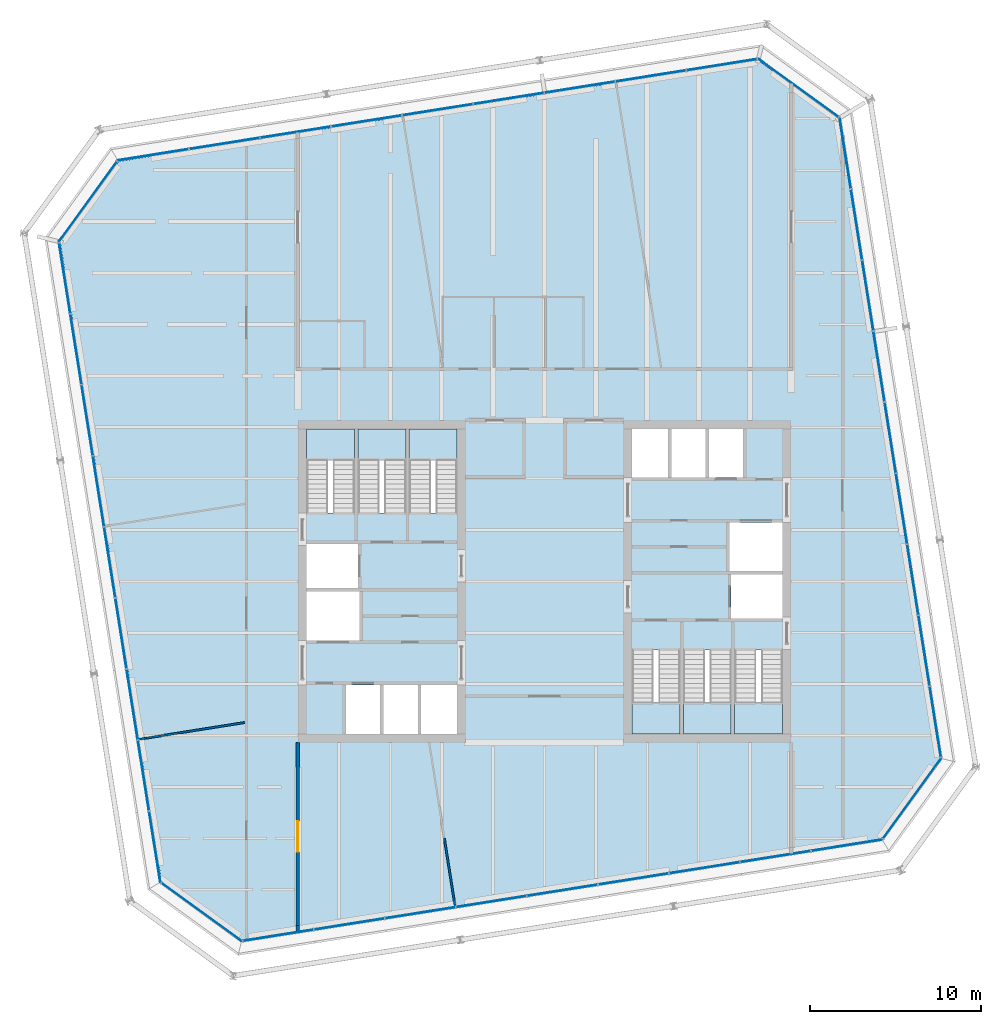
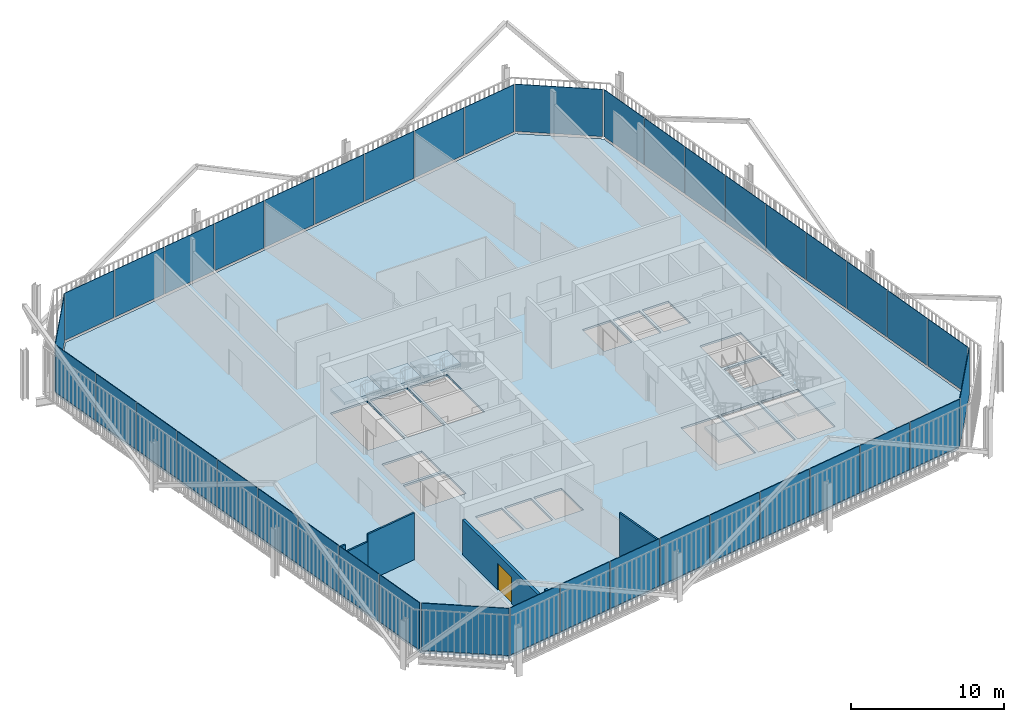
# One storey, part 15 of 20: 40 plates, 7 slabs, 6 walls, 1 door, 1 opening, 14 elements without a shape of their own.
"""IFC4 building model written with IfcOpenShell, lengths in metres."""

from ifc_helpers import new_model, si_unit, direction, frame, frame_2d, origin, place, context, subcontext, project, spatial, polyline, rectangle, outline, extrude, material, layer, layer_set, type_object, element, fill, aggregate, save


model = new_model("IFC4")

# Units and contexts
model_context = context("Model", 3, precision=1e-05, world=origin(), true_north=direction((0.0, 1.0)))
body_context = subcontext(model_context, "Body", "Model", "MODEL_VIEW")
ifc_project = project(units=[si_unit("LENGTHUNIT", "METRE"), si_unit("AREAUNIT", "SQUARE_METRE"), si_unit("VOLUMEUNIT", "CUBIC_METRE"), si_unit("PLANEANGLEUNIT", "RADIAN"), si_unit("MASSUNIT", "GRAM", prefix="KILO")], contexts=[model_context])

# Site, building, storey
site_placement = place(None, origin())
site = spatial("IfcSite", under=ifc_project, at=site_placement, CompositionType="ELEMENT")
building_placement = place(site_placement, origin())
building = spatial("IfcBuilding", under=site, at=building_placement, Name="Millrace Tower", CompositionType="ELEMENT")
storey_placement = place(building_placement, frame((0.0, 0.0, 204.699951171875)))
storey = spatial("IfcBuildingStorey", under=building, at=storey_placement, Name="L46", CompositionType="ELEMENT", Elevation=204.699951171875)

# Curtain wall, plate
ifc_material_1 = material(Name="Aluminium and glass", Category="aluminium")
ifc_layer_1 = layer(ifc_material_1, 0.14990234375)
ifc_layer_set_1 = layer_set([ifc_layer_1], Name="Aluminium and glass")
curtain_wall_type = type_object("IfcCurtainWallType", Name="CW-1 office vision curtain wall", PredefinedType="NOTDEFINED", material=ifc_layer_set_1)
placement_1 = place(storey_placement, origin())
curtain_wall_1 = element("IfcCurtainWall", 1, at=placement_1, inside=storey, type_object=curtain_wall_type, Name="Curtain wall D-F01 L46", PredefinedType="NOTDEFINED")
ifc_material_2 = material(Name="Glass", Category="glass")
ifc_layer_2 = layer(ifc_material_2, 0.0439453125)
ifc_layer_set_2 = layer_set([ifc_layer_2], Name="Glass")
plate_type = type_object("IfcPlateType", Name="CW-1 office vision curtain wall triple-glazed vision panel", PredefinedType="CURTAIN_PANEL", material=ifc_layer_set_2)
placement_2 = place(storey_placement, frame((0.0, 0.0, 0.14013671875)))
plate_1 = element("IfcPlate", 2, at=placement_2, type_object=plate_type, Name="CW1 panel D-F01.1", PredefinedType="CURTAIN_PANEL", context=body_context, shape_type="SweptSolid", body=[
    extrude(outline(polyline([(-22.36474609375, -17.632080078125), (-17.69384765625, -21.025634765625), (-17.6826171875, -20.979248046875), (-22.3388671875, -17.596435546875), (-22.36474609375, -17.632080078125)])), origin(), (0.0, 0.0, 1.0), 3.760009765625),
])
aggregate(curtain_wall_1, [plate_1])

# Curtain wall, plates
curtain_wall_2 = element("IfcCurtainWall", 3, at=placement_1, inside=storey, type_object=curtain_wall_type, Name="Curtain wall D-F02 L46", PredefinedType="NOTDEFINED")
plate_2 = element("IfcPlate", 4, at=placement_2, type_object=plate_type, Name="CW1 panel D-F02.1", PredefinedType="CURTAIN_PANEL", context=body_context, shape_type="SweptSolid", body=[
    extrude(outline(polyline([(-17.58984375, -21.009033203125), (-13.505859375, -20.3623046875), (-13.5126953125, -20.31884765625), (-17.596923828125, -20.965576171875), (-17.58984375, -21.009033203125)])), origin(), (0.0, 0.0, 1.0), 3.760009765625),
])
plate_3 = element("IfcPlate", 5, at=placement_2, type_object=plate_type, Name="CW1 panel D-F02.2", PredefinedType="CURTAIN_PANEL", context=body_context, shape_type="SweptSolid", body=[
    extrude(outline(polyline([(-13.441650390625, -20.35205078125), (-9.357666015625, -19.705078125), (-9.364501953125, -19.66162109375), (-13.448486328125, -20.30859375), (-13.441650390625, -20.35205078125)])), origin(), (0.0, 0.0, 1.0), 3.760009765625),
])
plate_4 = element("IfcPlate", 6, at=placement_2, type_object=plate_type, Name="CW1 panel D-F02.3", PredefinedType="CURTAIN_PANEL", context=body_context, shape_type="SweptSolid", body=[
    extrude(outline(polyline([(-9.29345703125, -19.695068359375), (-5.209228515625, -19.048095703125), (-5.216064453125, -19.004638671875), (-9.30029296875, -19.651611328125), (-9.29345703125, -19.695068359375)])), origin(), (0.0, 0.0, 1.0), 3.760009765625),
])
plate_5 = element("IfcPlate", 7, at=placement_2, type_object=plate_type, Name="CW1 panel D-F02.4", PredefinedType="CURTAIN_PANEL", context=body_context, shape_type="SweptSolid", body=[
    extrude(outline(polyline([(-5.14501953125, -19.0380859375), (-1.06103515625, -18.39111328125), (-1.06787109375, -18.34765625), (-5.15185546875, -18.99462890625), (-5.14501953125, -19.0380859375)])), origin(), (0.0, 0.0, 1.0), 3.760009765625),
])
plate_6 = element("IfcPlate", 8, at=placement_2, type_object=plate_type, Name="CW1 panel D-F02.5", PredefinedType="CURTAIN_PANEL", context=body_context, shape_type="SweptSolid", body=[
    extrude(outline(polyline([(-0.996826171875, -18.380859375), (3.08740234375, -17.734130859375), (3.080322265625, -17.690673828125), (-1.003662109375, -18.33740234375), (-0.996826171875, -18.380859375)])), origin(), (0.0, 0.0, 1.0), 3.760009765625),
])
plate_7 = element("IfcPlate", 9, at=placement_2, type_object=plate_type, Name="CW1 panel D-F02.6", PredefinedType="CURTAIN_PANEL", context=body_context, shape_type="SweptSolid", body=[
    extrude(outline(polyline([(3.151611328125, -17.723876953125), (7.235595703125, -17.0771484375), (7.228759765625, -17.03369140625), (3.14453125, -17.680419921875), (3.151611328125, -17.723876953125)])), origin(), (0.0, 0.0, 1.0), 3.760009765625),
])
plate_8 = element("IfcPlate", 10, at=placement_2, type_object=plate_type, Name="CW1 panel D-F02.7", PredefinedType="CURTAIN_PANEL", context=body_context, shape_type="SweptSolid", body=[
    extrude(outline(polyline([(7.2998046875, -17.06689453125), (11.3837890625, -16.420166015625), (11.376953125, -16.376708984375), (7.29296875, -17.0234375), (7.2998046875, -17.06689453125)])), origin(), (0.0, 0.0, 1.0), 3.760009765625),
])
plate_9 = element("IfcPlate", 11, at=placement_2, type_object=plate_type, Name="CW1 panel D-F02.8", PredefinedType="CURTAIN_PANEL", context=body_context, shape_type="SweptSolid", body=[
    extrude(outline(polyline([(11.447998046875, -16.409912109375), (15.5322265625, -15.762939453125), (15.525390625, -15.719482421875), (11.441162109375, -16.366455078125), (11.447998046875, -16.409912109375)])), origin(), (0.0, 0.0, 1.0), 3.760009765625),
])
plate_10 = element("IfcPlate", 12, at=placement_2, type_object=plate_type, Name="CW1 panel D-F02.9", PredefinedType="CURTAIN_PANEL", context=body_context, shape_type="SweptSolid", body=[
    extrude(outline(polyline([(15.596435546875, -15.7529296875), (19.72021484375, -15.099853515625), (19.6953125, -15.05908203125), (15.589599609375, -15.70947265625), (15.596435546875, -15.7529296875)])), origin(), (0.0, 0.0, 1.0), 3.760009765625),
])
aggregate(curtain_wall_2, [plate_2, plate_3, plate_4, plate_5, plate_6, plate_7, plate_8, plate_9, plate_10])

# Curtain wall, plate
curtain_wall_3 = element("IfcCurtainWall", 13, at=placement_1, inside=storey, type_object=curtain_wall_type, Name="Curtain wall D-F03 L46", PredefinedType="NOTDEFINED")
plate_11 = element("IfcPlate", 14, at=placement_2, type_object=plate_type, Name="CW1 panel D-F03.1", PredefinedType="CURTAIN_PANEL", context=body_context, shape_type="SweptSolid", body=[
    extrude(outline(polyline([(19.781982421875, -15.0146484375), (23.175537109375, -10.34375), (23.129150390625, -10.332763671875), (19.746337890625, -14.98876953125), (19.781982421875, -15.0146484375)])), origin(), (0.0, 0.0, 1.0), 3.760009765625),
])
aggregate(curtain_wall_3, [plate_11])

# Curtain wall, plates
curtain_wall_4 = element("IfcCurtainWall", 15, at=placement_1, inside=storey, type_object=curtain_wall_type, Name="Curtain wall D-F04 L46", PredefinedType="NOTDEFINED")
plate_12 = element("IfcPlate", 16, at=placement_2, type_object=plate_type, Name="CW1 panel D-F04.1", PredefinedType="CURTAIN_PANEL", context=body_context, shape_type="SweptSolid", body=[
    extrude(outline(polyline([(23.1591796875, -10.239990234375), (22.51220703125, -6.15576171875), (22.46875, -6.162841796875), (23.11572265625, -10.246826171875), (23.1591796875, -10.239990234375)])), origin(), (0.0, 0.0, 1.0), 3.760009765625),
])
plate_13 = element("IfcPlate", 17, at=placement_2, type_object=plate_type, Name="CW1 panel D-F04.2", PredefinedType="CURTAIN_PANEL", context=body_context, shape_type="SweptSolid", body=[
    extrude(outline(polyline([(22.501953125, -6.091552734375), (21.855224609375, -2.007568359375), (21.811767578125, -2.014404296875), (22.45849609375, -6.0986328125), (22.501953125, -6.091552734375)])), origin(), (0.0, 0.0, 1.0), 3.760009765625),
])
plate_14 = element("IfcPlate", 18, at=placement_2, type_object=plate_type, Name="CW1 panel D-F04.3", PredefinedType="CURTAIN_PANEL", context=body_context, shape_type="SweptSolid", body=[
    extrude(outline(polyline([(21.844970703125, -1.943359375), (21.1982421875, 2.140625), (21.15478515625, 2.1337890625), (21.801513671875, -1.9501953125), (21.844970703125, -1.943359375)])), origin(), (0.0, 0.0, 1.0), 3.760009765625),
])
plate_15 = element("IfcPlate", 19, at=placement_2, type_object=plate_type, Name="CW1 panel D-F04.4", PredefinedType="CURTAIN_PANEL", context=body_context, shape_type="SweptSolid", body=[
    extrude(outline(polyline([(21.18798828125, 2.204833984375), (20.541259765625, 6.2890625), (20.497802734375, 6.2822265625), (21.14453125, 2.197998046875), (21.18798828125, 2.204833984375)])), origin(), (0.0, 0.0, 1.0), 3.760009765625),
])
plate_16 = element("IfcPlate", 20, at=placement_2, type_object=plate_type, Name="CW1 panel D-F04.5", PredefinedType="CURTAIN_PANEL", context=body_context, shape_type="SweptSolid", body=[
    extrude(outline(polyline([(20.531005859375, 6.353271484375), (19.884033203125, 10.437255859375), (19.840576171875, 10.430419921875), (20.487548828125, 6.346435546875), (20.531005859375, 6.353271484375)])), origin(), (0.0, 0.0, 1.0), 3.760009765625),
])
plate_17 = element("IfcPlate", 21, at=placement_2, type_object=plate_type, Name="CW1 panel D-F04.6", PredefinedType="CURTAIN_PANEL", context=body_context, shape_type="SweptSolid", body=[
    extrude(outline(polyline([(19.8740234375, 10.50146484375), (19.22705078125, 14.585693359375), (19.18359375, 14.57861328125), (19.83056640625, 10.49462890625), (19.8740234375, 10.50146484375)])), origin(), (0.0, 0.0, 1.0), 3.760009765625),
])
plate_18 = element("IfcPlate", 22, at=placement_2, type_object=plate_type, Name="CW1 panel D-F04.7", PredefinedType="CURTAIN_PANEL", context=body_context, shape_type="SweptSolid", body=[
    extrude(outline(polyline([(19.217041015625, 14.64990234375), (18.570068359375, 18.73388671875), (18.526611328125, 18.72705078125), (19.173583984375, 14.642822265625), (19.217041015625, 14.64990234375)])), origin(), (0.0, 0.0, 1.0), 3.760009765625),
])
plate_19 = element("IfcPlate", 23, at=placement_2, type_object=plate_type, Name="CW1 panel D-F04.8", PredefinedType="CURTAIN_PANEL", context=body_context, shape_type="SweptSolid", body=[
    extrude(outline(polyline([(18.559814453125, 18.798095703125), (17.9130859375, 22.882080078125), (17.86962890625, 22.875244140625), (18.516357421875, 18.791259765625), (18.559814453125, 18.798095703125)])), origin(), (0.0, 0.0, 1.0), 3.760009765625),
])
plate_20 = element("IfcPlate", 24, at=placement_2, type_object=plate_type, Name="CW1 panel D-F04.9", PredefinedType="CURTAIN_PANEL", context=body_context, shape_type="SweptSolid", body=[
    extrude(outline(polyline([(17.90283203125, 22.9462890625), (17.249755859375, 27.070068359375), (17.209228515625, 27.045166015625), (17.859375, 22.939453125), (17.90283203125, 22.9462890625)])), origin(), (0.0, 0.0, 1.0), 3.760009765625),
])
aggregate(curtain_wall_4, [plate_12, plate_13, plate_14, plate_15, plate_16, plate_17, plate_18, plate_19, plate_20])

# Curtain wall, plate
curtain_wall_5 = element("IfcCurtainWall", 25, at=placement_1, inside=storey, type_object=curtain_wall_type, Name="Curtain wall D-F05 L46", PredefinedType="NOTDEFINED")
plate_21 = element("IfcPlate", 26, at=placement_2, type_object=plate_type, Name="CW1 panel D-F05.1", PredefinedType="CURTAIN_PANEL", context=body_context, shape_type="SweptSolid", body=[
    extrude(outline(polyline([(17.16455078125, 27.132080078125), (12.493896484375, 30.525634765625), (12.482666015625, 30.479248046875), (17.138671875, 27.096435546875), (17.16455078125, 27.132080078125)])), origin(), (0.0, 0.0, 1.0), 3.760009765625),
])
aggregate(curtain_wall_5, [plate_21])

# Curtain wall, plates
curtain_wall_6 = element("IfcCurtainWall", 27, at=placement_1, inside=storey, type_object=curtain_wall_type, Name="Curtain wall D-F06 L46", PredefinedType="NOTDEFINED")
plate_22 = element("IfcPlate", 28, at=placement_2, type_object=plate_type, Name="CW1 panel D-F06.1", PredefinedType="CURTAIN_PANEL", context=body_context, shape_type="SweptSolid", body=[
    extrude(outline(polyline([(12.389892578125, 30.509033203125), (8.305908203125, 29.8623046875), (8.312744140625, 29.81884765625), (12.396728515625, 30.465576171875), (12.389892578125, 30.509033203125)])), origin(), (0.0, 0.0, 1.0), 3.760009765625),
])
plate_23 = element("IfcPlate", 29, at=placement_2, type_object=plate_type, Name="CW1 panel D-F06.2", PredefinedType="CURTAIN_PANEL", context=body_context, shape_type="SweptSolid", body=[
    extrude(outline(polyline([(8.24169921875, 29.85205078125), (4.157470703125, 29.205078125), (4.16455078125, 29.16162109375), (8.24853515625, 29.80859375), (8.24169921875, 29.85205078125)])), origin(), (0.0, 0.0, 1.0), 3.760009765625),
])
plate_24 = element("IfcPlate", 30, at=placement_2, type_object=plate_type, Name="CW1 panel D-F06.3", PredefinedType="CURTAIN_PANEL", context=body_context, shape_type="SweptSolid", body=[
    extrude(outline(polyline([(4.09326171875, 29.195068359375), (0.00927734375, 28.548095703125), (0.01611328125, 28.504638671875), (4.100341796875, 29.151611328125), (4.09326171875, 29.195068359375)])), origin(), (0.0, 0.0, 1.0), 3.760009765625),
])
plate_25 = element("IfcPlate", 31, at=placement_2, type_object=plate_type, Name="CW1 panel D-F06.4", PredefinedType="CURTAIN_PANEL", context=body_context, shape_type="SweptSolid", body=[
    extrude(outline(polyline([(-0.054931640625, 28.5380859375), (-4.138916015625, 27.89111328125), (-4.132080078125, 27.84765625), (-0.048095703125, 28.49462890625), (-0.054931640625, 28.5380859375)])), origin(), (0.0, 0.0, 1.0), 3.760009765625),
])
plate_26 = element("IfcPlate", 32, at=placement_2, type_object=plate_type, Name="CW1 panel D-F06.5", PredefinedType="CURTAIN_PANEL", context=body_context, shape_type="SweptSolid", body=[
    extrude(outline(polyline([(-4.203125, 27.880859375), (-8.287353515625, 27.234130859375), (-8.280517578125, 27.190673828125), (-4.1962890625, 27.83740234375), (-4.203125, 27.880859375)])), origin(), (0.0, 0.0, 1.0), 3.760009765625),
])
plate_27 = element("IfcPlate", 33, at=placement_2, type_object=plate_type, Name="CW1 panel D-F06.6", PredefinedType="CURTAIN_PANEL", context=body_context, shape_type="SweptSolid", body=[
    extrude(outline(polyline([(-8.3515625, 27.223876953125), (-12.435546875, 26.5771484375), (-12.4287109375, 26.53369140625), (-8.3447265625, 27.180419921875), (-8.3515625, 27.223876953125)])), origin(), (0.0, 0.0, 1.0), 3.760009765625),
])
plate_28 = element("IfcPlate", 34, at=placement_2, type_object=plate_type, Name="CW1 panel D-F06.7", PredefinedType="CURTAIN_PANEL", context=body_context, shape_type="SweptSolid", body=[
    extrude(outline(polyline([(-12.499755859375, 26.56689453125), (-16.583984375, 25.920166015625), (-16.576904296875, 25.876708984375), (-12.492919921875, 26.5234375), (-12.499755859375, 26.56689453125)])), origin(), (0.0, 0.0, 1.0), 3.760009765625),
])
plate_29 = element("IfcPlate", 35, at=placement_2, type_object=plate_type, Name="CW1 panel D-F06.8", PredefinedType="CURTAIN_PANEL", context=body_context, shape_type="SweptSolid", body=[
    extrude(outline(polyline([(-16.648193359375, 25.909912109375), (-20.732177734375, 25.262939453125), (-20.725341796875, 25.219482421875), (-16.64111328125, 25.866455078125), (-16.648193359375, 25.909912109375)])), origin(), (0.0, 0.0, 1.0), 3.760009765625),
])
plate_30 = element("IfcPlate", 36, at=placement_2, type_object=plate_type, Name="CW1 panel D-F06.9", PredefinedType="CURTAIN_PANEL", context=body_context, shape_type="SweptSolid", body=[
    extrude(outline(polyline([(-20.79638671875, 25.2529296875), (-24.920166015625, 24.599853515625), (-24.895263671875, 24.55908203125), (-20.78955078125, 25.20947265625), (-20.79638671875, 25.2529296875)])), origin(), (0.0, 0.0, 1.0), 3.760009765625),
])
aggregate(curtain_wall_6, [plate_22, plate_23, plate_24, plate_25, plate_26, plate_27, plate_28, plate_29, plate_30])

# Curtain wall, plate
curtain_wall_7 = element("IfcCurtainWall", 37, at=placement_1, inside=storey, type_object=curtain_wall_type, Name="Curtain wall D-F07 L46", PredefinedType="NOTDEFINED")
plate_31 = element("IfcPlate", 38, at=placement_2, type_object=plate_type, Name="CW1 panel D-F07.1", PredefinedType="CURTAIN_PANEL", context=body_context, shape_type="SweptSolid", body=[
    extrude(outline(polyline([(-24.98193359375, 24.5146484375), (-28.37548828125, 19.84375), (-28.329345703125, 19.832763671875), (-24.9462890625, 24.48876953125), (-24.98193359375, 24.5146484375)])), origin(), (0.0, 0.0, 1.0), 3.760009765625),
])
aggregate(curtain_wall_7, [plate_31])

# Curtain wall, plates
curtain_wall_8 = element("IfcCurtainWall", 39, at=placement_1, inside=storey, type_object=curtain_wall_type, Name="Curtain wall D-F08 L46", PredefinedType="NOTDEFINED")
plate_32 = element("IfcPlate", 40, at=placement_2, type_object=plate_type, Name="CW1 panel D-F08.1", PredefinedType="CURTAIN_PANEL", context=body_context, shape_type="SweptSolid", body=[
    extrude(outline(polyline([(-28.359130859375, 19.739990234375), (-27.712158203125, 15.65576171875), (-27.668701171875, 15.662841796875), (-28.315673828125, 19.746826171875), (-28.359130859375, 19.739990234375)])), origin(), (0.0, 0.0, 1.0), 3.760009765625),
])
plate_33 = element("IfcPlate", 41, at=placement_2, type_object=plate_type, Name="CW1 panel D-F08.2", PredefinedType="CURTAIN_PANEL", context=body_context, shape_type="SweptSolid", body=[
    extrude(outline(polyline([(-27.7021484375, 15.591552734375), (-27.05517578125, 11.507568359375), (-27.01171875, 11.514404296875), (-27.65869140625, 15.5986328125), (-27.7021484375, 15.591552734375)])), origin(), (0.0, 0.0, 1.0), 3.760009765625),
])
plate_34 = element("IfcPlate", 42, at=placement_2, type_object=plate_type, Name="CW1 panel D-F08.3", PredefinedType="CURTAIN_PANEL", context=body_context, shape_type="SweptSolid", body=[
    extrude(outline(polyline([(-27.044921875, 11.443359375), (-26.398193359375, 7.359375), (-26.354736328125, 7.3662109375), (-27.00146484375, 11.4501953125), (-27.044921875, 11.443359375)])), origin(), (0.0, 0.0, 1.0), 3.760009765625),
])
plate_35 = element("IfcPlate", 43, at=placement_2, type_object=plate_type, Name="CW1 panel D-F08.4", PredefinedType="CURTAIN_PANEL", context=body_context, shape_type="SweptSolid", body=[
    extrude(outline(polyline([(-26.387939453125, 7.295166015625), (-25.7412109375, 3.2109375), (-25.69775390625, 3.2177734375), (-26.344482421875, 7.302001953125), (-26.387939453125, 7.295166015625)])), origin(), (0.0, 0.0, 1.0), 3.760009765625),
])
plate_36 = element("IfcPlate", 44, at=placement_2, type_object=plate_type, Name="CW1 panel D-F08.5", PredefinedType="CURTAIN_PANEL", context=body_context, shape_type="SweptSolid", body=[
    extrude(outline(polyline([(-25.73095703125, 3.146728515625), (-25.084228515625, -0.937255859375), (-25.040771484375, -0.930419921875), (-25.6875, 3.153564453125), (-25.73095703125, 3.146728515625)])), origin(), (0.0, 0.0, 1.0), 3.760009765625),
])
plate_37 = element("IfcPlate", 45, at=placement_2, type_object=plate_type, Name="CW1 panel D-F08.6", PredefinedType="CURTAIN_PANEL", context=body_context, shape_type="SweptSolid", body=[
    extrude(outline(polyline([(-25.073974609375, -1.00146484375), (-24.427001953125, -5.085693359375), (-24.383544921875, -5.07861328125), (-25.030517578125, -0.99462890625), (-25.073974609375, -1.00146484375)])), origin(), (0.0, 0.0, 1.0), 3.760009765625),
])
plate_38 = element("IfcPlate", 46, at=placement_2, type_object=plate_type, Name="CW1 panel D-F08.7", PredefinedType="CURTAIN_PANEL", context=body_context, shape_type="SweptSolid", body=[
    extrude(outline(polyline([(-24.4169921875, -5.14990234375), (-23.77001953125, -9.23388671875), (-23.7265625, -9.22705078125), (-24.37353515625, -5.142822265625), (-24.4169921875, -5.14990234375)])), origin(), (0.0, 0.0, 1.0), 3.760009765625),
])
plate_39 = element("IfcPlate", 47, at=placement_2, type_object=plate_type, Name="CW1 panel D-F08.8", PredefinedType="CURTAIN_PANEL", context=body_context, shape_type="SweptSolid", body=[
    extrude(outline(polyline([(-23.760009765625, -9.298095703125), (-23.113037109375, -13.382080078125), (-23.069580078125, -13.375244140625), (-23.716552734375, -9.291259765625), (-23.760009765625, -9.298095703125)])), origin(), (0.0, 0.0, 1.0), 3.760009765625),
])
plate_40 = element("IfcPlate", 48, at=placement_2, type_object=plate_type, Name="CW1 panel D-F08.9", PredefinedType="CURTAIN_PANEL", context=body_context, shape_type="SweptSolid", body=[
    extrude(outline(polyline([(-23.102783203125, -13.4462890625), (-22.44970703125, -17.570068359375), (-22.4091796875, -17.545166015625), (-23.059326171875, -13.439453125), (-23.102783203125, -13.4462890625)])), origin(), (0.0, 0.0, 1.0), 3.760009765625),
])
aggregate(curtain_wall_8, [plate_32, plate_33, plate_34, plate_35, plate_36, plate_37, plate_38, plate_39, plate_40])

# Slab
ifc_material_3 = material(Name="Concrete C35 on steel deck", Category="concrete")
ifc_layer_3 = layer(ifc_material_3, 0.159912109375)
ifc_layer_set_3 = layer_set([ifc_layer_3], Name="Concrete C35 on steel deck")
slab_type_1 = type_object("IfcSlabType", Name="Composite floor slab 160 mm", PredefinedType="FLOOR", material=ifc_layer_set_3)
slab_1_placement = place(storey_placement, frame((0.0, 0.0, -0.159912109375)))
element("IfcSlab", 49, at=slab_1_placement, inside=storey, type_object=slab_type_1, Name="SL-D-L46-S1", PredefinedType="FLOOR", context=body_context, shape_type="SweptSolid", body=[
    extrude(outline(polyline([(-22.360107421875, -17.515380859375), (-17.66943359375, -20.92333984375), (19.665283203125, -15.01025390625), (23.073486328125, -10.3193359375), (17.16015625, 27.015380859375), (12.46923828125, 30.42333984375), (-24.865234375, 24.51025390625), (-28.2734375, 19.8193359375), (-22.360107421875, -17.515380859375)]), holes=[polyline([(-11.60009765625, -8.89990234375), (-9.60009765625, -8.89990234375), (-9.60009765625, -6.050048828125), (-11.60009765625, -6.050048828125), (-11.60009765625, -8.89990234375)]), polyline([(-9.39990234375, -8.89990234375), (-7.39990234375, -8.89990234375), (-7.39990234375, -6.050048828125), (-9.39990234375, -6.050048828125), (-9.39990234375, -8.89990234375)]), polyline([(-7.199951171875, -8.89990234375), (-5.10009765625, -8.89990234375), (-5.10009765625, -6.050048828125), (-7.199951171875, -6.050048828125), (-7.199951171875, -8.89990234375)]), polyline([(-13.89990234375, -3.449951171875), (-10.800048828125, -3.449951171875), (-10.800048828125, -0.60009765625), (-13.89990234375, -0.60009765625), (-13.89990234375, -3.449951171875)]), polyline([(-13.89990234375, -0.39990234375), (-10.89990234375, -0.39990234375), (-10.89990234375, 2.179931640625), (-13.89990234375, 2.179931640625), (-13.89990234375, -0.39990234375)]), polyline([(-13.89990234375, 4.0), (-11.10009765625, 4.0), (-11.10009765625, 8.89990234375), (-13.89990234375, 8.89990234375), (-13.89990234375, 4.0)]), polyline([(-10.89990234375, 4.0), (-8.10009765625, 4.0), (-8.10009765625, 8.89990234375), (-10.89990234375, 8.89990234375), (-10.89990234375, 4.0)]), polyline([(-7.89990234375, 4.0), (-5.10009765625, 4.0), (-5.10009765625, 8.89990234375), (-7.89990234375, 8.89990234375), (-7.89990234375, 4.0)]), polyline([(9.60009765625, 6.050048828125), (11.60009765625, 6.050048828125), (11.60009765625, 8.89990234375), (9.60009765625, 8.89990234375), (9.60009765625, 6.050048828125)]), polyline([(7.39990234375, 6.050048828125), (9.39990234375, 6.050048828125), (9.39990234375, 8.89990234375), (7.39990234375, 8.89990234375), (7.39990234375, 6.050048828125)]), polyline([(5.10009765625, 6.050048828125), (7.199951171875, 6.050048828125), (7.199951171875, 8.89990234375), (5.10009765625, 8.89990234375), (5.10009765625, 6.050048828125)]), polyline([(10.800048828125, 0.60009765625), (13.89990234375, 0.60009765625), (13.89990234375, 3.449951171875), (10.800048828125, 3.449951171875), (10.800048828125, 0.60009765625)]), polyline([(10.89990234375, -2.179931640625), (13.89990234375, -2.179931640625), (13.89990234375, 0.39990234375), (10.89990234375, 0.39990234375), (10.89990234375, -2.179931640625)]), polyline([(11.10009765625, -8.89990234375), (13.89990234375, -8.89990234375), (13.89990234375, -4.0), (11.10009765625, -4.0), (11.10009765625, -8.89990234375)]), polyline([(8.10009765625, -8.89990234375), (10.89990234375, -8.89990234375), (10.89990234375, -4.0), (8.10009765625, -4.0), (8.10009765625, -8.89990234375)]), polyline([(5.10009765625, -8.89990234375), (7.89990234375, -8.89990234375), (7.89990234375, -4.0), (5.10009765625, -4.0), (5.10009765625, -8.89990234375)])]), origin(), (0.0, 0.0, 1.0), 0.159912109375),
])

# Stair, slab
ifc_material_4 = material(Name="Concrete C35", Category="concrete")
stair_type = type_object("IfcStairType", Name="Exit stair", PredefinedType="HALF_TURN_STAIR", material=ifc_material_4)
stair_1 = element("IfcStair", 50, at=placement_1, inside=storey, type_object=stair_type, Name="Stair 1 W L46", PredefinedType="HALF_TURN_STAIR")
ifc_material_5 = material(Name="Concrete C40", Category="concrete")
ifc_layer_4 = layer(ifc_material_5, 0.199951171875)
ifc_layer_set_4 = layer_set([ifc_layer_4], Name="Concrete C40")
slab_type_2 = type_object("IfcSlabType", Name="Stair landing", PredefinedType="LANDING", material=ifc_layer_set_4)
placement_3 = place(storey_placement, frame((0.0, 0.0, 1.75)))
slab_2 = element("IfcSlab", 51, at=placement_3, type_object=slab_type_2, Name="ST12 landing 1", PredefinedType="LANDING", context=body_context, shape_type="SweptSolid", body=[
    extrude(outline(polyline([(-13.89990234375, 7.080078125), (-11.10009765625, 7.080078125), (-11.10009765625, 8.89990234375), (-13.89990234375, 8.89990234375), (-13.89990234375, 7.080078125)])), origin(), (0.0, 0.0, 1.0), 0.199951171875),
])
aggregate(stair_1, [slab_2])

stair_2 = element("IfcStair", 52, at=placement_1, inside=storey, type_object=stair_type, Name="Stair 2 W L46", PredefinedType="HALF_TURN_STAIR")
slab_3 = element("IfcSlab", 53, at=placement_3, type_object=slab_type_2, Name="ST12 landing 1", PredefinedType="LANDING", context=body_context, shape_type="SweptSolid", body=[
    extrude(outline(polyline([(-10.89990234375, 7.080078125), (-8.10009765625, 7.080078125), (-8.10009765625, 8.89990234375), (-10.89990234375, 8.89990234375), (-10.89990234375, 7.080078125)])), origin(), (0.0, 0.0, 1.0), 0.199951171875),
])
aggregate(stair_2, [slab_3])

stair_3 = element("IfcStair", 54, at=placement_1, inside=storey, type_object=stair_type, Name="Stair 3 W L46", PredefinedType="HALF_TURN_STAIR")
slab_4 = element("IfcSlab", 55, at=placement_3, type_object=slab_type_2, Name="ST12 landing 1", PredefinedType="LANDING", context=body_context, shape_type="SweptSolid", body=[
    extrude(outline(polyline([(-7.89990234375, 7.080078125), (-5.10009765625, 7.080078125), (-5.10009765625, 8.89990234375), (-7.89990234375, 8.89990234375), (-7.89990234375, 7.080078125)])), origin(), (0.0, 0.0, 1.0), 0.199951171875),
])
aggregate(stair_3, [slab_4])

stair_4 = element("IfcStair", 56, at=placement_1, inside=storey, type_object=stair_type, Name="Stair 1 E L46", PredefinedType="HALF_TURN_STAIR")
slab_5 = element("IfcSlab", 57, at=placement_3, type_object=slab_type_2, Name="ST12 landing 1", PredefinedType="LANDING", context=body_context, shape_type="SweptSolid", body=[
    extrude(outline(polyline([(11.10009765625, -8.89990234375), (13.89990234375, -8.89990234375), (13.89990234375, -7.080078125), (11.10009765625, -7.080078125), (11.10009765625, -8.89990234375)])), origin(), (0.0, 0.0, 1.0), 0.199951171875),
])
aggregate(stair_4, [slab_5])

stair_5 = element("IfcStair", 58, at=placement_1, inside=storey, type_object=stair_type, Name="Stair 2 E L46", PredefinedType="HALF_TURN_STAIR")
slab_6 = element("IfcSlab", 59, at=placement_3, type_object=slab_type_2, Name="ST12 landing 1", PredefinedType="LANDING", context=body_context, shape_type="SweptSolid", body=[
    extrude(outline(polyline([(8.10009765625, -8.89990234375), (10.89990234375, -8.89990234375), (10.89990234375, -7.080078125), (8.10009765625, -7.080078125), (8.10009765625, -8.89990234375)])), origin(), (0.0, 0.0, 1.0), 0.199951171875),
])
aggregate(stair_5, [slab_6])

stair_6 = element("IfcStair", 60, at=placement_1, inside=storey, type_object=stair_type, Name="Stair 3 E L46", PredefinedType="HALF_TURN_STAIR")
slab_7 = element("IfcSlab", 61, at=placement_3, type_object=slab_type_2, Name="ST12 landing 1", PredefinedType="LANDING", context=body_context, shape_type="SweptSolid", body=[
    extrude(outline(polyline([(5.10009765625, -8.89990234375), (7.89990234375, -8.89990234375), (7.89990234375, -7.080078125), (5.10009765625, -7.080078125), (5.10009765625, -8.89990234375)])), origin(), (0.0, 0.0, 1.0), 0.199951171875),
])
aggregate(stair_6, [slab_7])

# Wall
ifc_material_6 = material(Name="Masonry partition, fire-rated", Category="masonry")
ifc_layer_5 = layer(ifc_material_6, 0.199951171875)
ifc_layer_set_5 = layer_set([ifc_layer_5], Name="Masonry partition, fire-rated")
wall_type_1 = type_object("IfcWallType", Name="Corridor wall 200", PredefinedType="PARTITIONING", material=ifc_layer_set_5)
wall_1_placement = place(storey_placement, frame((-14.39990234375, -20.43603515625, 0.0), z_axis=(0.0, 0.0, 1.0), x_axis=(0.0, 1.0, 0.0)))
element("IfcWall", 62, at=wall_1_placement, inside=storey, type_object=wall_type_1, Name="Corridor wall L46", PredefinedType="PARTITIONING", context=body_context, shape_type="SweptSolid", body=[
    extrude(rectangle(XDim=0.349609375, YDim=0.199951171875, at=frame_2d((0.1748046875, 0.0))), origin(), (0.0, 0.0, 1.0), 3.739990234375),
])

# Wall, opening, door
wall_2_placement = place(storey_placement, frame((-14.39990234375, -20.08642578125, 0.0), z_axis=(0.0, 0.0, 1.0), x_axis=(0.0, 1.0, 0.0)))
wall_2 = element("IfcWall", 63, at=wall_2_placement, inside=storey, type_object=wall_type_1, Name="Corridor wall L46", PredefinedType="PARTITIONING", context=body_context, shape_type="SweptSolid", body=[
    extrude(rectangle(XDim=10.6865234375, YDim=0.199951171875, at=frame_2d((5.34326171875, 0.0))), origin(), (0.0, 0.0, 1.0), 2.81298828125),
])
opening_placement = place(wall_2_placement, frame((4.2939453125, 0.0, 0.0)))
opening = element("IfcOpeningElement", 64, at=opening_placement, cuts=wall_2, Name="Opening 46-P014", PredefinedType="OPENING", context=body_context, shape_type="SweptSolid", body=[
    extrude(rectangle(XDim=1.800048828125, YDim=2.10009765625, at=frame_2d((0.89990234375, 1.050048828125))), frame((0.0, 0.10986328125, 0.0), z_axis=(0.0, -1.0, 0.0), x_axis=(1.0, 0.0, 0.0)), (0.0, 0.0, 1.0), 0.219970703125),
])
ifc_material_7 = material(Name="Steel door set, fire-rated", Category="steel")
door_type = type_object("IfcDoorType", Name="Corridor door 1800 x 2100", OperationType="DOUBLE_DOOR_SINGLE_SWING", PredefinedType="DOOR", material=ifc_material_7)
door_placement = place(opening_placement, frame((1.800048828125, 0.0, 0.0), z_axis=(0.0, 0.0, 1.0), x_axis=(-1.0, 0.0, 0.0)))
door = element("IfcDoor", 65, at=door_placement, inside=storey, type_object=door_type, Name="Door 46-P014", OperationType="DOUBLE_DOOR_SINGLE_SWING", OverallHeight=2.10009765625, OverallWidth=1.800048828125, PredefinedType="DOOR", context=body_context, shape_type="SweptSolid", body=[
    extrude(rectangle(XDim=1.800048828125, YDim=2.10009765625, at=frame_2d((0.89990234375, 1.050048828125))), frame((0.0, 0.02490234375, 0.0), z_axis=(0.0, -1.0, 0.0), x_axis=(1.0, 0.0, 0.0)), (0.0, 0.0, 1.0), 0.050048828125),
])
fill(opening, door)

# Walls
ifc_material_8 = material(Name="Gypsum board partition")
ifc_layer_6 = layer(ifc_material_8, 0.1201171875)
ifc_layer_set_6 = layer_set([ifc_layer_6], Name="Gypsum board partition")
wall_type_2 = type_object("IfcWallType", Name="Partition wall 120", PredefinedType="PARTITIONING", material=ifc_layer_set_6)
wall_3_placement = place(storey_placement, frame((-5.851806640625, -14.99267578125, 0.0), z_axis=(0.0, 0.0, 1.0), x_axis=(0.15636605837, -0.987699172719, 0.0)))
element("IfcWall", 66, at=wall_3_placement, inside=storey, type_object=wall_type_2, Name="Partition wall L46", PredefinedType="PARTITIONING", context=body_context, shape_type="SweptSolid", body=[
    extrude(rectangle(XDim=4.039306640625, YDim=0.1201171875, at=frame_2d((2.01953125, 0.0))), origin(), (0.0, 0.0, 1.0), 3.739990234375),
])
wall_4_placement = place(storey_placement, frame((-23.703857421875, -9.2236328125, 0.0), z_axis=(0.0, 0.0, 1.0), x_axis=(0.987688969713, 0.156430492897, 0.0)))
element("IfcWall", 67, at=wall_4_placement, inside=storey, type_object=wall_type_2, Name="Partition wall L46", PredefinedType="PARTITIONING", context=body_context, shape_type="SweptSolid", body=[
    extrude(rectangle(XDim=0.482177734375, YDim=0.1201171875, at=frame_2d((0.2412109375, 0.0))), origin(), (0.0, 0.0, 1.0), 3.739990234375),
])
wall_5_placement = place(storey_placement, frame((-23.2275390625, -9.148193359375, 0.0), z_axis=(0.0, 0.0, 1.0), x_axis=(0.987694977912, 0.156392552913, 0.0)))
element("IfcWall", 68, at=wall_5_placement, inside=storey, type_object=wall_type_2, Name="Partition wall L46", PredefinedType="PARTITIONING", context=body_context, shape_type="SweptSolid", body=[
    extrude(rectangle(XDim=1.895263671875, YDim=0.1201171875, at=frame_2d((0.94775390625, 0.0))), origin(), (0.0, 0.0, 1.0), 3.140625),
])
wall_6_placement = place(storey_placement, frame((-21.355712890625, -8.851806640625, 0.0), z_axis=(0.0, 0.0, 1.0), x_axis=(0.987680199826, 0.156485855182, 0.0)))
element("IfcWall", 69, at=wall_6_placement, inside=storey, type_object=wall_type_2, Name="Partition wall L46", PredefinedType="PARTITIONING", context=body_context, shape_type="SweptSolid", body=[
    extrude(rectangle(XDim=3.905029296875, YDim=0.1201171875, at=frame_2d((1.95263671875, 0.0))), origin(), (0.0, 0.0, 1.0), 3.739990234375),
])

save(model, "model.ifc")
